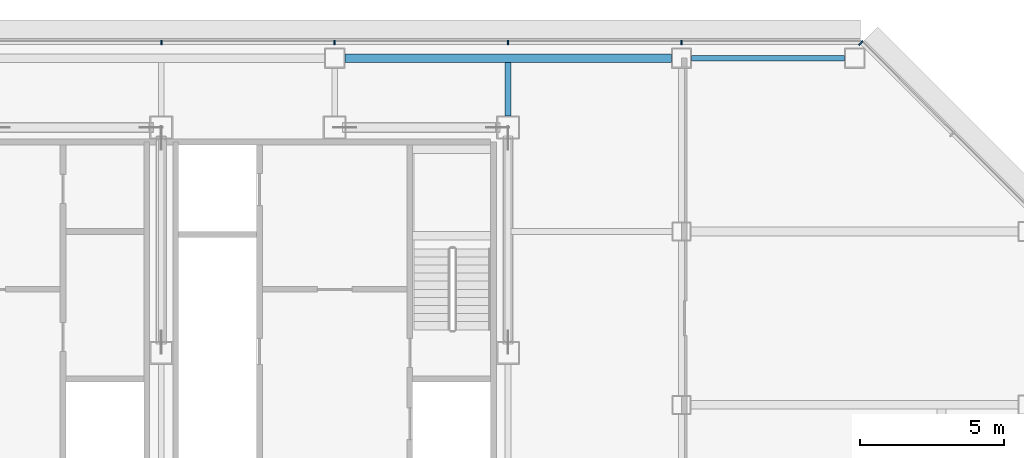
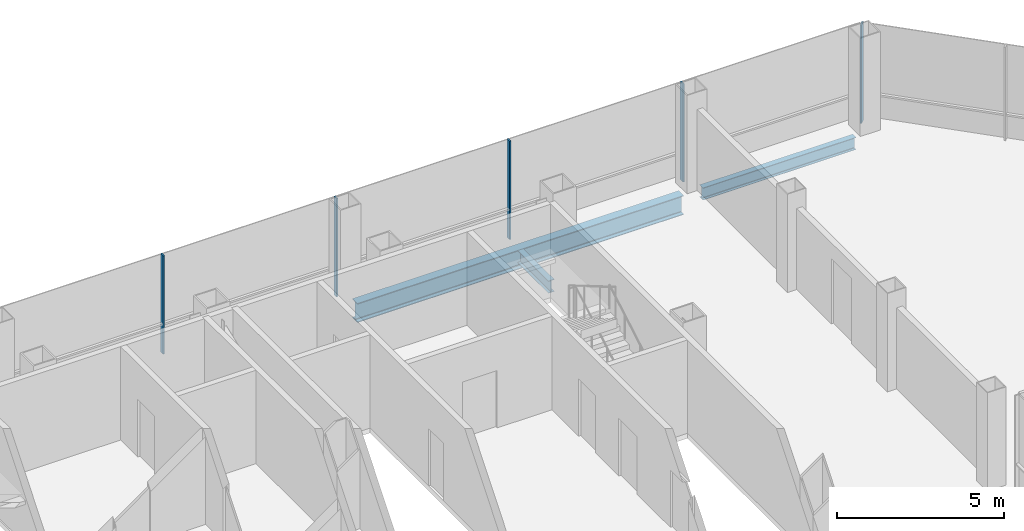
# One storey, part 15 of 27: 5 members, 3 beams, 2 elements without a shape of their own.
"""IFC4 building model written with IfcOpenShell, lengths in metres."""

from ifc_helpers import new_model, si_unit, direction, frame, origin, origin_2d, place, context, subcontext, project, spatial, rectangle, i_section, extrude, material, material_profile, profile_set, type_object, element, aggregate, save


model = new_model("IFC4")

# Units and contexts
model_context = context("Model", 3, precision=1e-05, world=origin(), true_north=direction((0.0, 1.0)))
body_context = subcontext(model_context, "Body", "Model", "MODEL_VIEW")
ifc_project = project(units=[si_unit("LENGTHUNIT", "METRE"), si_unit("AREAUNIT", "SQUARE_METRE"), si_unit("VOLUMEUNIT", "CUBIC_METRE"), si_unit("PLANEANGLEUNIT", "RADIAN"), si_unit("MASSUNIT", "GRAM", prefix="KILO")], contexts=[model_context])

# Site, building, storey
site_placement = place(None, origin())
site = spatial("IfcSite", under=ifc_project, at=site_placement, CompositionType="ELEMENT")
building_placement = place(site_placement, origin())
building = spatial("IfcBuilding", under=site, at=building_placement, Name="Sorahane Residences", CompositionType="ELEMENT")
storey_placement = place(building_placement, frame((0.0, 0.0, 167.199951171875)))
storey = spatial("IfcBuildingStorey", under=building, at=storey_placement, Name="L38", CompositionType="ELEMENT", Elevation=167.199951171875)

# Curtain wall, members
ifc_material_1 = material(Name="Dark low-e glass and black anodised aluminium", Category="aluminium")
curtain_wall_type_1 = type_object("IfcCurtainWallType", Name="Curtain wall CW-1 Typical unitised wall", PredefinedType="NOTDEFINED", material=ifc_material_1)
curtain_wall_1_placement = place(storey_placement, origin())
curtain_wall_1 = element("IfcCurtainWall", 1, at=curtain_wall_1_placement, inside=storey, type_object=curtain_wall_type_1, Name="CW-1 curtain wall L38 N2", PredefinedType="NOTDEFINED")
ifc_material_2 = material(Name="Black anodised aluminium", Category="aluminium")
ifc_material_profile_1 = material_profile(ifc_material_2, rectangle(XDim=0.159912109375, YDim=0.050048828125, at=origin_2d()), Name="Curtain wall mullion CW-1 black anodised aluminium 50x160")
ifc_profile_set_1 = profile_set([ifc_material_profile_1], Name="Black anodised aluminium")
member_type_1 = type_object("IfcMemberType", Name="Curtain wall mullion CW-1 black anodised aluminium 50x160", PredefinedType="MULLION", material=ifc_profile_set_1)
member_1_placement = place(storey_placement, frame((48.0, 48.5400390625, -0.179931640625), z_axis=(0.0, 0.0, 1.0), x_axis=(0.0, 1.0, 0.0)))
member_1 = element("IfcMember", 2, at=member_1_placement, type_object=member_type_1, Name="CW-1 mullion L38 N2.2", PredefinedType="MULLION", context=body_context, shape_type="SweptSolid", body=[
    extrude(rectangle(XDim=0.159912109375, YDim=0.050048828125, at=origin_2d()), origin(), (0.0, 0.0, 1.0), 3.60009765625),
])
member_2_placement = place(storey_placement, frame((42.0, 48.5400390625, -0.179931640625), z_axis=(0.0, 0.0, 1.0), x_axis=(0.0, 1.0, 0.0)))
member_2 = element("IfcMember", 3, at=member_2_placement, type_object=member_type_1, Name="CW-1 mullion L38 N2.3", PredefinedType="MULLION", context=body_context, shape_type="SweptSolid", body=[
    extrude(rectangle(XDim=0.159912109375, YDim=0.050048828125, at=origin_2d()), origin(), (0.0, 0.0, 1.0), 3.60009765625),
])
member_3_placement = place(storey_placement, frame((36.0, 48.5400390625, -0.179931640625), z_axis=(0.0, 0.0, 1.0), x_axis=(0.0, 1.0, 0.0)))
member_3 = element("IfcMember", 4, at=member_3_placement, type_object=member_type_1, Name="CW-1 mullion L38 N2.4", PredefinedType="MULLION", context=body_context, shape_type="SweptSolid", body=[
    extrude(rectangle(XDim=0.159912109375, YDim=0.050048828125, at=origin_2d()), origin(), (0.0, 0.0, 1.0), 3.60009765625),
])
member_4_placement = place(storey_placement, frame((30.0, 48.5400390625, -0.179931640625), z_axis=(0.0, 0.0, 1.0), x_axis=(0.0, 1.0, 0.0)))
member_4 = element("IfcMember", 5, at=member_4_placement, type_object=member_type_1, Name="CW-1 mullion L38 N2.5", PredefinedType="MULLION", context=body_context, shape_type="SweptSolid", body=[
    extrude(rectangle(XDim=0.159912109375, YDim=0.050048828125, at=origin_2d()), origin(), (0.0, 0.0, 1.0), 3.60009765625),
])
aggregate(curtain_wall_1, [member_1, member_2, member_3, member_4])

# Curtain wall, member
ifc_material_3 = material(Name="Dark low-e glass and black anodised aluminium", Category="aluminium")
curtain_wall_type_2 = type_object("IfcCurtainWallType", Name="Curtain wall CW-2 Chamfer unitised wall", PredefinedType="NOTDEFINED", material=ifc_material_3)
curtain_wall_2_placement = place(storey_placement, origin())
curtain_wall_2 = element("IfcCurtainWall", 6, at=curtain_wall_2_placement, inside=storey, type_object=curtain_wall_type_2, Name="CW-2 curtain wall L38 NE1", PredefinedType="NOTDEFINED")
ifc_material_4 = material(Name="Black anodised aluminium", Category="aluminium")
ifc_material_profile_2 = material_profile(ifc_material_4, rectangle(XDim=0.199951171875, YDim=0.050048828125, at=origin_2d()), Name="Curtain wall mullion CW-2 black anodised aluminium 50x200")
ifc_profile_set_2 = profile_set([ifc_material_profile_2], Name="Black anodised aluminium")
member_type_2 = type_object("IfcMemberType", Name="Curtain wall mullion CW-2 black anodised aluminium 50x200", PredefinedType="MULLION", material=ifc_profile_set_2)
member_5_placement = place(storey_placement, frame((54.209716796875, 48.525634765625, -0.179931640625), z_axis=(0.0, 0.0, 1.0), x_axis=(0.707106781187, 0.707106781187, 0.0)))
member_5 = element("IfcMember", 7, at=member_5_placement, type_object=member_type_2, Name="CW-2 mullion L38 NE1.3", PredefinedType="MULLION", context=body_context, shape_type="SweptSolid", body=[
    extrude(rectangle(XDim=0.199951171875, YDim=0.050048828125, at=origin_2d()), origin(), (0.0, 0.0, 1.0), 3.60009765625),
])
aggregate(curtain_wall_2, [member_5])

# Beams
ifc_material_5 = material(Name="Steel Q355B", Category="steel")
ifc_material_profile_3 = material_profile(ifc_material_5, i_section(OverallWidth=0.199951171875, OverallDepth=0.449951171875, WebThickness=0.009033203125, FlangeThickness=0.013916015625, FilletRadius=0.02001953125, at=origin_2d()), Name="HN 450x200x9x14")
ifc_profile_set_3 = profile_set([ifc_material_profile_3], Name="Steel Q355B")
beam_type_1 = type_object("IfcBeamType", Name="Steel floor beam HN 450x200x9x14 Q355B", PredefinedType="BEAM", material=ifc_profile_set_3)
beam_1_placement = place(storey_placement, frame((48.35009765625, 48.0, -0.405029296875), z_axis=(1.0, 0.0, 0.0), x_axis=(0.0, 1.0, 0.0)))
element("IfcBeam", 8, at=beam_1_placement, inside=storey, type_object=beam_type_1, Name="Beam L38 019", PredefinedType="BEAM", context=body_context, shape_type="SweptSolid", body=[
    extrude(i_section(OverallWidth=0.199951171875, OverallDepth=0.449951171875, WebThickness=0.009033203125, FlangeThickness=0.013916015625, FilletRadius=0.02001953125, at=origin_2d()), origin(), (0.0, 0.0, 1.0), 5.2998046875),
])
beam_2_placement = place(storey_placement, frame((42.0, 46.0, -0.405029296875), z_axis=(0.0, 1.0, 0.0), x_axis=(-1.0, 0.0, 0.0)))
element("IfcBeam", 9, at=beam_2_placement, inside=storey, type_object=beam_type_1, Name="Beam L38 057", PredefinedType="BEAM", context=body_context, shape_type="SweptSolid", body=[
    extrude(i_section(OverallWidth=0.199951171875, OverallDepth=0.449951171875, WebThickness=0.009033203125, FlangeThickness=0.013916015625, FilletRadius=0.02001953125, at=origin_2d()), origin(), (0.0, 0.0, 1.0), 1.85009765625),
])
ifc_material_6 = material(Name="Steel Q355B", Category="steel")
ifc_material_profile_4 = material_profile(ifc_material_6, i_section(OverallWidth=0.300048828125, OverallDepth=0.699951171875, WebThickness=0.012939453125, FlangeThickness=0.02392578125, FilletRadius=0.028076171875, at=origin_2d()), Name="HN 700x300x13x24")
ifc_profile_set_4 = profile_set([ifc_material_profile_4], Name="Steel Q355B")
beam_type_2 = type_object("IfcBeamType", Name="Steel floor beam HN 700x300x13x24 Q355B", PredefinedType="BEAM", material=ifc_profile_set_4)
beam_3_placement = place(storey_placement, frame((36.35009765625, 48.0, -0.530029296875), z_axis=(1.0, 0.0, 0.0), x_axis=(0.0, 1.0, 0.0)))
element("IfcBeam", 10, at=beam_3_placement, inside=storey, type_object=beam_type_2, Name="Beam L38 018", PredefinedType="BEAM", context=body_context, shape_type="SweptSolid", body=[
    extrude(i_section(OverallWidth=0.300048828125, OverallDepth=0.699951171875, WebThickness=0.012939453125, FlangeThickness=0.02392578125, FilletRadius=0.028076171875, at=origin_2d()), origin(), (0.0, 0.0, 1.0), 11.2998046875),
])

save(model, "model.ifc")
